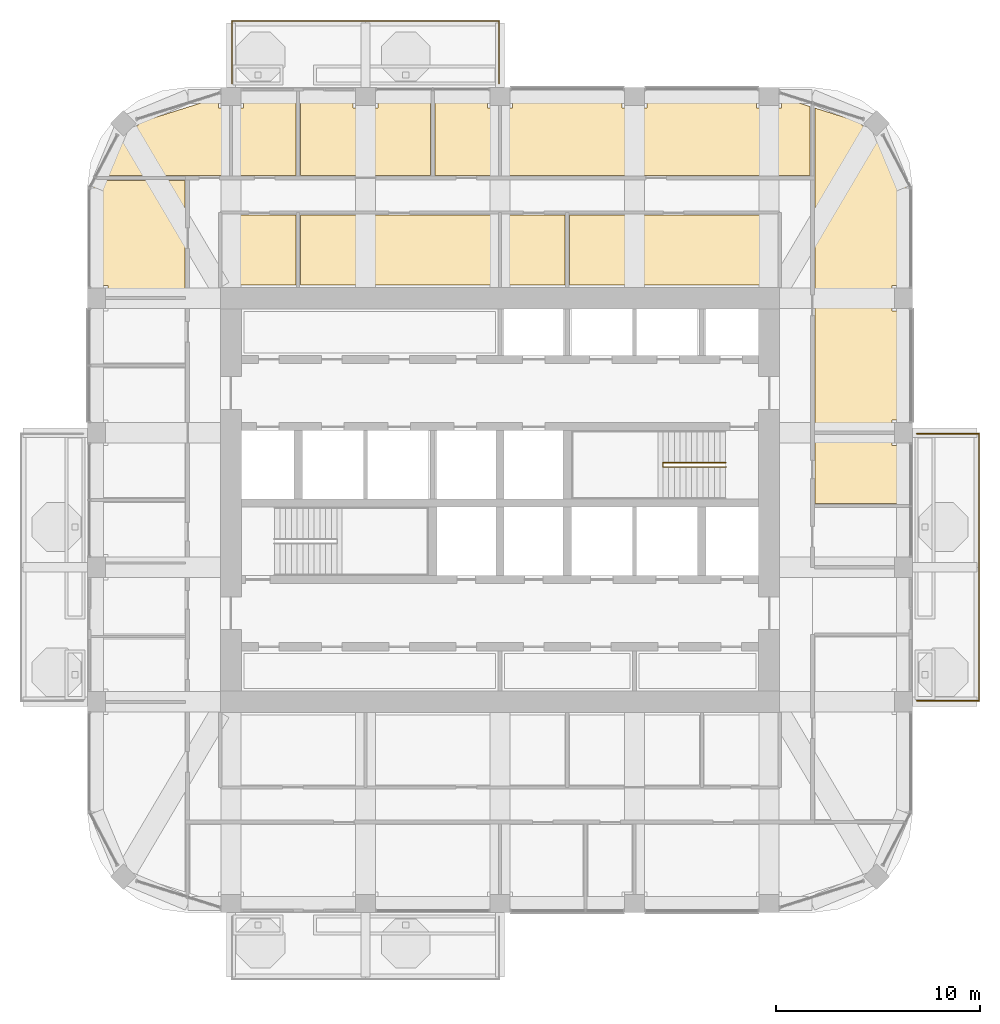
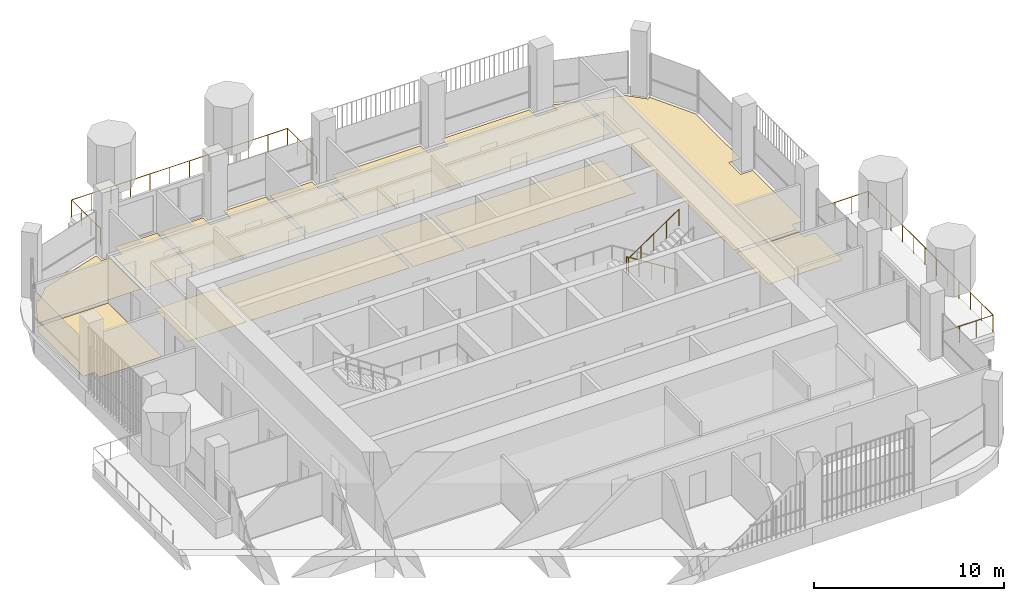
# One storey, part 17 of 18: 12 coverings, 3 railings.
"""IFC4 building model written with IfcOpenShell, lengths in metres."""

from ifc_helpers import new_model, si_unit, direction, frame, origin, place, context, subcontext, project, spatial, polyline, outline, extrude, material, layer, layer_set, type_object, element, save


model = new_model("IFC4")

# Units and contexts
model_context = context("Model", 3, precision=1e-05, world=origin(), true_north=direction((0.0, 1.0)))
body_context = subcontext(model_context, "Body", "Model", "MODEL_VIEW")
ifc_project = project(units=[si_unit("LENGTHUNIT", "METRE"), si_unit("AREAUNIT", "SQUARE_METRE"), si_unit("VOLUMEUNIT", "CUBIC_METRE"), si_unit("PLANEANGLEUNIT", "RADIAN"), si_unit("MASSUNIT", "GRAM", prefix="KILO")], contexts=[model_context])

# Site, building, storey
site_placement = place(None, origin())
site = spatial("IfcSite", under=ifc_project, at=site_placement, CompositionType="ELEMENT")
building_placement = place(site_placement, origin())
building = spatial("IfcBuilding", under=site, at=building_placement, Name="Cobogo Forest Laboratory Tower", CompositionType="ELEMENT")
storey_placement = place(building_placement, frame((0.0, 0.0, 271.199951171875)))
storey = spatial("IfcBuildingStorey", under=building, at=storey_placement, Name="L62", CompositionType="ELEMENT", Elevation=271.199951171875)

# Railings
ifc_material_1 = material(Name="Laminated glass balustrade", Category="glass")
railing_type_1 = type_object("IfcRailingType", Name="BG1 glass balustrade 1100", PredefinedType="GUARDRAIL", material=ifc_material_1)
railing_1_placement = place(storey_placement, frame((46.85009765625, 13.25, 0.0)))
element("IfcRailing", 1, at=railing_1_placement, inside=storey, type_object=railing_type_1, Name="Balcony balustrade BAL-E1 L62", PredefinedType="GUARDRAIL", context=body_context, shape_type="SweptSolid", body=[
    extrude(outline(polyline([(0.022216796875, 0.00927734375), (0.00927734375, 0.022216796875), (-0.00927734375, 0.022216796875), (-0.022216796875, 0.00927734375), (-0.022216796875, -0.00927734375), (-0.00927734375, -0.022216796875), (0.00927734375, -0.022216796875), (0.022216796875, -0.00927734375), (0.022216796875, 0.00927734375)])), frame((0.0, 0.0, 1.077880859375), z_axis=(1.0, 0.0, 0.0), x_axis=(0.0, 1.0, 0.0)), (0.0, 0.0, 1.0), 3.0498046875),
    extrude(outline(polyline([(0.022216796875, 0.00927734375), (0.00927734375, 0.022216796875), (-0.00927734375, 0.022216796875), (-0.022216796875, 0.00927734375), (-0.022216796875, -0.00927734375), (-0.00927734375, -0.022216796875), (0.00927734375, -0.022216796875), (0.022216796875, -0.00927734375), (0.022216796875, 0.00927734375)])), frame((3.0498046875, 0.0, 1.077880859375), z_axis=(0.0, 1.0, 0.0), x_axis=(-1.0, 0.0, 0.0)), (0.0, 0.0, 1.0), 13.10009765625),
    extrude(outline(polyline([(0.022216796875, 0.00927734375), (0.00927734375, 0.022216796875), (-0.00927734375, 0.022216796875), (-0.022216796875, 0.00927734375), (-0.022216796875, -0.00927734375), (-0.00927734375, -0.022216796875), (0.00927734375, -0.022216796875), (0.022216796875, -0.00927734375), (0.022216796875, 0.00927734375)])), frame((3.0498046875, 13.10009765625, 1.077880859375), z_axis=(-1.0, 0.0, 0.0), x_axis=(0.0, -1.0, 0.0)), (0.0, 0.0, 1.0), 3.0498046875),
    extrude(outline(polyline([(0.019287109375, 0.008056640625), (0.008056640625, 0.019287109375), (-0.008056640625, 0.019287109375), (-0.019287109375, 0.008056640625), (-0.019287109375, -0.008056640625), (-0.008056640625, -0.019287109375), (0.008056640625, -0.019287109375), (0.019287109375, -0.008056640625), (0.019287109375, 0.008056640625)])), origin(), (0.0, 0.0, 1.0), 1.077880859375),
    extrude(outline(polyline([(0.019287109375, 0.008056640625), (0.008056640625, 0.019287109375), (-0.008056640625, 0.019287109375), (-0.019287109375, 0.008056640625), (-0.019287109375, -0.008056640625), (-0.008056640625, -0.019287109375), (0.008056640625, -0.019287109375), (0.019287109375, -0.008056640625), (0.019287109375, 0.008056640625)])), frame((1.0166015625, 0.0, 0.0)), (0.0, 0.0, 1.0), 1.077880859375),
    extrude(outline(polyline([(0.019287109375, 0.008056640625), (0.008056640625, 0.019287109375), (-0.008056640625, 0.019287109375), (-0.019287109375, 0.008056640625), (-0.019287109375, -0.008056640625), (-0.008056640625, -0.019287109375), (0.008056640625, -0.019287109375), (0.019287109375, -0.008056640625), (0.019287109375, 0.008056640625)])), frame((2.033203125, 0.0, 0.0)), (0.0, 0.0, 1.0), 1.077880859375),
    extrude(outline(polyline([(0.019287109375, 0.008056640625), (0.008056640625, 0.019287109375), (-0.008056640625, 0.019287109375), (-0.019287109375, 0.008056640625), (-0.019287109375, -0.008056640625), (-0.008056640625, -0.019287109375), (0.008056640625, -0.019287109375), (0.019287109375, -0.008056640625), (0.019287109375, 0.008056640625)])), frame((3.0498046875, 0.0, 0.0)), (0.0, 0.0, 1.0), 1.077880859375),
    extrude(outline(polyline([(0.019287109375, 0.008056640625), (0.008056640625, 0.019287109375), (-0.008056640625, 0.019287109375), (-0.019287109375, 0.008056640625), (-0.019287109375, -0.008056640625), (-0.008056640625, -0.019287109375), (0.008056640625, -0.019287109375), (0.019287109375, -0.008056640625), (0.019287109375, 0.008056640625)])), frame((3.0498046875, 1.19091796875, 0.0)), (0.0, 0.0, 1.0), 1.077880859375),
    extrude(outline(polyline([(0.019287109375, 0.008056640625), (0.008056640625, 0.019287109375), (-0.008056640625, 0.019287109375), (-0.019287109375, 0.008056640625), (-0.019287109375, -0.008056640625), (-0.008056640625, -0.019287109375), (0.008056640625, -0.019287109375), (0.019287109375, -0.008056640625), (0.019287109375, 0.008056640625)])), frame((3.0498046875, 2.3818359375, 0.0)), (0.0, 0.0, 1.0), 1.077880859375),
    extrude(outline(polyline([(0.019287109375, 0.008056640625), (0.008056640625, 0.019287109375), (-0.008056640625, 0.019287109375), (-0.019287109375, 0.008056640625), (-0.019287109375, -0.008056640625), (-0.008056640625, -0.019287109375), (0.008056640625, -0.019287109375), (0.019287109375, -0.008056640625), (0.019287109375, 0.008056640625)])), frame((3.0498046875, 3.57275390625, 0.0)), (0.0, 0.0, 1.0), 1.077880859375),
    extrude(outline(polyline([(0.019287109375, 0.008056640625), (0.008056640625, 0.019287109375), (-0.008056640625, 0.019287109375), (-0.019287109375, 0.008056640625), (-0.019287109375, -0.008056640625), (-0.008056640625, -0.019287109375), (0.008056640625, -0.019287109375), (0.019287109375, -0.008056640625), (0.019287109375, 0.008056640625)])), frame((3.0498046875, 4.763671875, 0.0)), (0.0, 0.0, 1.0), 1.077880859375),
    extrude(outline(polyline([(0.019287109375, 0.008056640625), (0.008056640625, 0.019287109375), (-0.008056640625, 0.019287109375), (-0.019287109375, 0.008056640625), (-0.019287109375, -0.008056640625), (-0.008056640625, -0.019287109375), (0.008056640625, -0.019287109375), (0.019287109375, -0.008056640625), (0.019287109375, 0.008056640625)])), frame((3.0498046875, 5.95458984375, 0.0)), (0.0, 0.0, 1.0), 1.077880859375),
    extrude(outline(polyline([(0.019287109375, 0.008056640625), (0.008056640625, 0.019287109375), (-0.008056640625, 0.019287109375), (-0.019287109375, 0.008056640625), (-0.019287109375, -0.008056640625), (-0.008056640625, -0.019287109375), (0.008056640625, -0.019287109375), (0.019287109375, -0.008056640625), (0.019287109375, 0.008056640625)])), frame((3.0498046875, 7.1455078125, 0.0)), (0.0, 0.0, 1.0), 1.077880859375),
    extrude(outline(polyline([(0.019287109375, 0.008056640625), (0.008056640625, 0.019287109375), (-0.008056640625, 0.019287109375), (-0.019287109375, 0.008056640625), (-0.019287109375, -0.008056640625), (-0.008056640625, -0.019287109375), (0.008056640625, -0.019287109375), (0.019287109375, -0.008056640625), (0.019287109375, 0.008056640625)])), frame((3.0498046875, 8.33642578125, 0.0)), (0.0, 0.0, 1.0), 1.077880859375),
    extrude(outline(polyline([(0.019287109375, 0.008056640625), (0.008056640625, 0.019287109375), (-0.008056640625, 0.019287109375), (-0.019287109375, 0.008056640625), (-0.019287109375, -0.008056640625), (-0.008056640625, -0.019287109375), (0.008056640625, -0.019287109375), (0.019287109375, -0.008056640625), (0.019287109375, 0.008056640625)])), frame((3.0498046875, 9.52734375, 0.0)), (0.0, 0.0, 1.0), 1.077880859375),
    extrude(outline(polyline([(0.019287109375, 0.008056640625), (0.008056640625, 0.019287109375), (-0.008056640625, 0.019287109375), (-0.019287109375, 0.008056640625), (-0.019287109375, -0.008056640625), (-0.008056640625, -0.019287109375), (0.008056640625, -0.019287109375), (0.019287109375, -0.008056640625), (0.019287109375, 0.008056640625)])), frame((3.0498046875, 10.71826171875, 0.0)), (0.0, 0.0, 1.0), 1.077880859375),
    extrude(outline(polyline([(0.019287109375, 0.008056640625), (0.008056640625, 0.019287109375), (-0.008056640625, 0.019287109375), (-0.019287109375, 0.008056640625), (-0.019287109375, -0.008056640625), (-0.008056640625, -0.019287109375), (0.008056640625, -0.019287109375), (0.019287109375, -0.008056640625), (0.019287109375, 0.008056640625)])), frame((3.0498046875, 11.9091796875, 0.0)), (0.0, 0.0, 1.0), 1.077880859375),
    extrude(outline(polyline([(0.019287109375, 0.008056640625), (0.008056640625, 0.019287109375), (-0.008056640625, 0.019287109375), (-0.019287109375, 0.008056640625), (-0.019287109375, -0.008056640625), (-0.008056640625, -0.019287109375), (0.008056640625, -0.019287109375), (0.019287109375, -0.008056640625), (0.019287109375, 0.008056640625)])), frame((3.0498046875, 13.10009765625, 0.0)), (0.0, 0.0, 1.0), 1.077880859375),
    extrude(outline(polyline([(0.019287109375, 0.008056640625), (0.008056640625, 0.019287109375), (-0.008056640625, 0.019287109375), (-0.019287109375, 0.008056640625), (-0.019287109375, -0.008056640625), (-0.008056640625, -0.019287109375), (0.008056640625, -0.019287109375), (0.019287109375, -0.008056640625), (0.019287109375, 0.008056640625)])), frame((2.033203125, 13.10009765625, 0.0)), (0.0, 0.0, 1.0), 1.077880859375),
    extrude(outline(polyline([(0.019287109375, 0.008056640625), (0.008056640625, 0.019287109375), (-0.008056640625, 0.019287109375), (-0.019287109375, 0.008056640625), (-0.019287109375, -0.008056640625), (-0.008056640625, -0.019287109375), (0.008056640625, -0.019287109375), (0.019287109375, -0.008056640625), (0.019287109375, 0.008056640625)])), frame((1.0166015625, 13.10009765625, 0.0)), (0.0, 0.0, 1.0), 1.077880859375),
    extrude(outline(polyline([(0.019287109375, 0.008056640625), (0.008056640625, 0.019287109375), (-0.008056640625, 0.019287109375), (-0.019287109375, 0.008056640625), (-0.019287109375, -0.008056640625), (-0.008056640625, -0.019287109375), (0.008056640625, -0.019287109375), (0.019287109375, -0.008056640625), (0.019287109375, 0.008056640625)])), frame((0.0, 13.10009765625, 0.0)), (0.0, 0.0, 1.0), 1.077880859375),
])
railing_2_placement = place(storey_placement, frame((13.25, 43.550048828125, 0.0)))
element("IfcRailing", 2, at=railing_2_placement, inside=storey, type_object=railing_type_1, Name="Balcony balustrade BAL-N1 L62", PredefinedType="GUARDRAIL", context=body_context, shape_type="SweptSolid", body=[
    extrude(outline(polyline([(0.022216796875, 0.00927734375), (0.00927734375, 0.022216796875), (-0.00927734375, 0.022216796875), (-0.022216796875, 0.00927734375), (-0.022216796875, -0.00927734375), (-0.00927734375, -0.022216796875), (0.00927734375, -0.022216796875), (0.022216796875, -0.00927734375), (0.022216796875, 0.00927734375)])), frame((0.0, 0.0, 1.077880859375), z_axis=(0.0, 1.0, 0.0), x_axis=(-1.0, 0.0, 0.0)), (0.0, 0.0, 1.0), 3.050048828125),
    extrude(outline(polyline([(0.022216796875, 0.00927734375), (0.00927734375, 0.022216796875), (-0.00927734375, 0.022216796875), (-0.022216796875, 0.00927734375), (-0.022216796875, -0.00927734375), (-0.00927734375, -0.022216796875), (0.00927734375, -0.022216796875), (0.022216796875, -0.00927734375), (0.022216796875, 0.00927734375)])), frame((0.0, 3.050048828125, 1.077880859375), z_axis=(1.0, 0.0, 0.0), x_axis=(0.0, 1.0, 0.0)), (0.0, 0.0, 1.0), 13.10009765625),
    extrude(outline(polyline([(0.022216796875, 0.00927734375), (0.00927734375, 0.022216796875), (-0.00927734375, 0.022216796875), (-0.022216796875, 0.00927734375), (-0.022216796875, -0.00927734375), (-0.00927734375, -0.022216796875), (0.00927734375, -0.022216796875), (0.022216796875, -0.00927734375), (0.022216796875, 0.00927734375)])), frame((13.10009765625, 3.050048828125, 1.077880859375), z_axis=(0.0, -1.0, 0.0), x_axis=(1.0, 0.0, 0.0)), (0.0, 0.0, 1.0), 3.050048828125),
    extrude(outline(polyline([(0.019287109375, 0.008056640625), (0.008056640625, 0.019287109375), (-0.008056640625, 0.019287109375), (-0.019287109375, 0.008056640625), (-0.019287109375, -0.008056640625), (-0.008056640625, -0.019287109375), (0.008056640625, -0.019287109375), (0.019287109375, -0.008056640625), (0.019287109375, 0.008056640625)])), origin(), (0.0, 0.0, 1.0), 1.077880859375),
    extrude(outline(polyline([(0.019287109375, 0.008056640625), (0.008056640625, 0.019287109375), (-0.008056640625, 0.019287109375), (-0.019287109375, 0.008056640625), (-0.019287109375, -0.008056640625), (-0.008056640625, -0.019287109375), (0.008056640625, -0.019287109375), (0.019287109375, -0.008056640625), (0.019287109375, 0.008056640625)])), frame((0.0, 1.0166015625, 0.0)), (0.0, 0.0, 1.0), 1.077880859375),
    extrude(outline(polyline([(0.019287109375, 0.008056640625), (0.008056640625, 0.019287109375), (-0.008056640625, 0.019287109375), (-0.019287109375, 0.008056640625), (-0.019287109375, -0.008056640625), (-0.008056640625, -0.019287109375), (0.008056640625, -0.019287109375), (0.019287109375, -0.008056640625), (0.019287109375, 0.008056640625)])), frame((0.0, 2.033447265625, 0.0)), (0.0, 0.0, 1.0), 1.077880859375),
    extrude(outline(polyline([(0.019287109375, 0.008056640625), (0.008056640625, 0.019287109375), (-0.008056640625, 0.019287109375), (-0.019287109375, 0.008056640625), (-0.019287109375, -0.008056640625), (-0.008056640625, -0.019287109375), (0.008056640625, -0.019287109375), (0.019287109375, -0.008056640625), (0.019287109375, 0.008056640625)])), frame((0.0, 3.050048828125, 0.0)), (0.0, 0.0, 1.0), 1.077880859375),
    extrude(outline(polyline([(0.019287109375, 0.008056640625), (0.008056640625, 0.019287109375), (-0.008056640625, 0.019287109375), (-0.019287109375, 0.008056640625), (-0.019287109375, -0.008056640625), (-0.008056640625, -0.019287109375), (0.008056640625, -0.019287109375), (0.019287109375, -0.008056640625), (0.019287109375, 0.008056640625)])), frame((1.19091796875, 3.050048828125, 0.0)), (0.0, 0.0, 1.0), 1.077880859375),
    extrude(outline(polyline([(0.019287109375, 0.008056640625), (0.008056640625, 0.019287109375), (-0.008056640625, 0.019287109375), (-0.019287109375, 0.008056640625), (-0.019287109375, -0.008056640625), (-0.008056640625, -0.019287109375), (0.008056640625, -0.019287109375), (0.019287109375, -0.008056640625), (0.019287109375, 0.008056640625)])), frame((2.3818359375, 3.050048828125, 0.0)), (0.0, 0.0, 1.0), 1.077880859375),
    extrude(outline(polyline([(0.019287109375, 0.008056640625), (0.008056640625, 0.019287109375), (-0.008056640625, 0.019287109375), (-0.019287109375, 0.008056640625), (-0.019287109375, -0.008056640625), (-0.008056640625, -0.019287109375), (0.008056640625, -0.019287109375), (0.019287109375, -0.008056640625), (0.019287109375, 0.008056640625)])), frame((3.57275390625, 3.050048828125, 0.0)), (0.0, 0.0, 1.0), 1.077880859375),
    extrude(outline(polyline([(0.019287109375, 0.008056640625), (0.008056640625, 0.019287109375), (-0.008056640625, 0.019287109375), (-0.019287109375, 0.008056640625), (-0.019287109375, -0.008056640625), (-0.008056640625, -0.019287109375), (0.008056640625, -0.019287109375), (0.019287109375, -0.008056640625), (0.019287109375, 0.008056640625)])), frame((4.763671875, 3.050048828125, 0.0)), (0.0, 0.0, 1.0), 1.077880859375),
    extrude(outline(polyline([(0.019287109375, 0.008056640625), (0.008056640625, 0.019287109375), (-0.008056640625, 0.019287109375), (-0.019287109375, 0.008056640625), (-0.019287109375, -0.008056640625), (-0.008056640625, -0.019287109375), (0.008056640625, -0.019287109375), (0.019287109375, -0.008056640625), (0.019287109375, 0.008056640625)])), frame((5.95458984375, 3.050048828125, 0.0)), (0.0, 0.0, 1.0), 1.077880859375),
    extrude(outline(polyline([(0.019287109375, 0.008056640625), (0.008056640625, 0.019287109375), (-0.008056640625, 0.019287109375), (-0.019287109375, 0.008056640625), (-0.019287109375, -0.008056640625), (-0.008056640625, -0.019287109375), (0.008056640625, -0.019287109375), (0.019287109375, -0.008056640625), (0.019287109375, 0.008056640625)])), frame((7.1455078125, 3.050048828125, 0.0)), (0.0, 0.0, 1.0), 1.077880859375),
    extrude(outline(polyline([(0.019287109375, 0.008056640625), (0.008056640625, 0.019287109375), (-0.008056640625, 0.019287109375), (-0.019287109375, 0.008056640625), (-0.019287109375, -0.008056640625), (-0.008056640625, -0.019287109375), (0.008056640625, -0.019287109375), (0.019287109375, -0.008056640625), (0.019287109375, 0.008056640625)])), frame((8.33642578125, 3.050048828125, 0.0)), (0.0, 0.0, 1.0), 1.077880859375),
    extrude(outline(polyline([(0.019287109375, 0.008056640625), (0.008056640625, 0.019287109375), (-0.008056640625, 0.019287109375), (-0.019287109375, 0.008056640625), (-0.019287109375, -0.008056640625), (-0.008056640625, -0.019287109375), (0.008056640625, -0.019287109375), (0.019287109375, -0.008056640625), (0.019287109375, 0.008056640625)])), frame((9.52734375, 3.050048828125, 0.0)), (0.0, 0.0, 1.0), 1.077880859375),
    extrude(outline(polyline([(0.019287109375, 0.008056640625), (0.008056640625, 0.019287109375), (-0.008056640625, 0.019287109375), (-0.019287109375, 0.008056640625), (-0.019287109375, -0.008056640625), (-0.008056640625, -0.019287109375), (0.008056640625, -0.019287109375), (0.019287109375, -0.008056640625), (0.019287109375, 0.008056640625)])), frame((10.71826171875, 3.050048828125, 0.0)), (0.0, 0.0, 1.0), 1.077880859375),
    extrude(outline(polyline([(0.019287109375, 0.008056640625), (0.008056640625, 0.019287109375), (-0.008056640625, 0.019287109375), (-0.019287109375, 0.008056640625), (-0.019287109375, -0.008056640625), (-0.008056640625, -0.019287109375), (0.008056640625, -0.019287109375), (0.019287109375, -0.008056640625), (0.019287109375, 0.008056640625)])), frame((11.9091796875, 3.050048828125, 0.0)), (0.0, 0.0, 1.0), 1.077880859375),
    extrude(outline(polyline([(0.019287109375, 0.008056640625), (0.008056640625, 0.019287109375), (-0.008056640625, 0.019287109375), (-0.019287109375, 0.008056640625), (-0.019287109375, -0.008056640625), (-0.008056640625, -0.019287109375), (0.008056640625, -0.019287109375), (0.019287109375, -0.008056640625), (0.019287109375, 0.008056640625)])), frame((13.10009765625, 3.050048828125, 0.0)), (0.0, 0.0, 1.0), 1.077880859375),
    extrude(outline(polyline([(0.019287109375, 0.008056640625), (0.008056640625, 0.019287109375), (-0.008056640625, 0.019287109375), (-0.019287109375, 0.008056640625), (-0.019287109375, -0.008056640625), (-0.008056640625, -0.019287109375), (0.008056640625, -0.019287109375), (0.019287109375, -0.008056640625), (0.019287109375, 0.008056640625)])), frame((13.10009765625, 2.033447265625, 0.0)), (0.0, 0.0, 1.0), 1.077880859375),
    extrude(outline(polyline([(0.019287109375, 0.008056640625), (0.008056640625, 0.019287109375), (-0.008056640625, 0.019287109375), (-0.019287109375, 0.008056640625), (-0.019287109375, -0.008056640625), (-0.008056640625, -0.019287109375), (0.008056640625, -0.019287109375), (0.019287109375, -0.008056640625), (0.019287109375, 0.008056640625)])), frame((13.10009765625, 1.0166015625, 0.0)), (0.0, 0.0, 1.0), 1.077880859375),
    extrude(outline(polyline([(0.019287109375, 0.008056640625), (0.008056640625, 0.019287109375), (-0.008056640625, 0.019287109375), (-0.019287109375, 0.008056640625), (-0.019287109375, -0.008056640625), (-0.008056640625, -0.019287109375), (0.008056640625, -0.019287109375), (0.019287109375, -0.008056640625), (0.019287109375, 0.008056640625)])), frame((13.10009765625, 0.0, 0.0)), (0.0, 0.0, 1.0), 1.077880859375),
])

# Coverings
ifc_material_2 = material(Name="Carpet tile on raised access floor", Category="flooring")
ifc_layer_1 = layer(ifc_material_2, 0.008056640625)
ifc_layer_set_1 = layer_set([ifc_layer_1], Name="CT1 carpet tile floor 8")
covering_type_1 = type_object("IfcCoveringType", Name="CT1 carpet tile floor 8", PredefinedType="FLOORING", material=ifc_layer_set_1)
covering_1_placement = place(storey_placement, origin())
element("IfcCovering", 3, at=covering_1_placement, inside=storey, type_object=covering_type_1, Name="Carpet floor L62-01", PredefinedType="FLOORING", context=body_context, shape_type="SweptSolid", body=[
    extrude(outline(polyline([(16.3798828125, 33.64501953125), (12.794921875, 33.64501953125), (12.794921875, 37.080078125), (16.3798828125, 37.080078125), (16.3798828125, 33.64501953125)])), origin(), (0.0, 0.0, 1.0), 0.008056640625),
])
covering_2_placement = place(storey_placement, origin())
element("IfcCovering", 4, at=covering_2_placement, inside=storey, type_object=covering_type_1, Name="Carpet floor L62-02", PredefinedType="FLOORING", context=body_context, shape_type="SweptSolid", body=[
    extrude(outline(polyline([(26.280029296875, 33.64501953125), (16.6201171875, 33.64501953125), (16.6201171875, 37.080078125), (26.280029296875, 37.080078125), (26.280029296875, 33.64501953125)])), origin(), (0.0, 0.0, 1.0), 0.008056640625),
])
covering_3_placement = place(storey_placement, origin())
element("IfcCovering", 5, at=covering_3_placement, inside=storey, type_object=covering_type_1, Name="Carpet floor L62-03", PredefinedType="FLOORING", context=body_context, shape_type="SweptSolid", body=[
    extrude(outline(polyline([(29.580078125, 33.64501953125), (26.52001953125, 33.64501953125), (26.52001953125, 37.080078125), (29.580078125, 37.080078125), (29.580078125, 33.64501953125)])), origin(), (0.0, 0.0, 1.0), 0.008056640625),
])
covering_4_placement = place(storey_placement, origin())
element("IfcCovering", 6, at=covering_4_placement, inside=storey, type_object=covering_type_1, Name="Carpet floor L62-04", PredefinedType="FLOORING", context=body_context, shape_type="SweptSolid", body=[
    extrude(outline(polyline([(40.0048828125, 33.64501953125), (29.820068359375, 33.64501953125), (29.820068359375, 37.080078125), (40.0048828125, 37.080078125), (40.0048828125, 33.64501953125)])), origin(), (0.0, 0.0, 1.0), 0.008056640625),
])
covering_5_placement = place(storey_placement, origin())
element("IfcCovering", 7, at=covering_5_placement, inside=storey, type_object=covering_type_1, Name="Carpet floor L62-16", PredefinedType="FLOORING", context=body_context, shape_type="SweptSolid", body=[
    extrude(outline(polyline([(41.844970703125, 42.331298828125), (44.10986328125, 41.615966796875), (44.075927734375, 41.58203125), (44.882080078125, 40.77587890625), (45.010986328125, 40.905029296875), (46.35009765625, 38.350830078125), (46.35009765625, 33.6201171875), (45.6298828125, 33.6201171875), (45.6298828125, 32.3798828125), (46.35009765625, 32.3798828125), (46.35009765625, 27.02001953125), (45.6298828125, 27.02001953125), (45.6298828125, 26.52001953125), (41.844970703125, 26.52001953125), (41.844970703125, 42.331298828125)])), origin(), (0.0, 0.0, 1.0), 0.008056640625),
])
covering_6_placement = place(storey_placement, origin())
element("IfcCovering", 8, at=covering_6_placement, inside=storey, type_object=covering_type_1, Name="Carpet floor L62-17", PredefinedType="FLOORING", context=body_context, shape_type="SweptSolid", body=[
    extrude(outline(polyline([(6.80078125, 39.02001953125), (7.788818359375, 40.905029296875), (7.91796875, 40.77587890625), (8.72412109375, 41.58203125), (8.68994140625, 41.615966796875), (12.580078125, 42.844482421875), (12.580078125, 42.330078125), (13.080078125, 42.330078125), (13.080078125, 39.02001953125), (6.80078125, 39.02001953125)])), origin(), (0.0, 0.0, 1.0), 0.008056640625),
])
covering_7_placement = place(storey_placement, origin())
element("IfcCovering", 9, at=covering_7_placement, inside=storey, type_object=covering_type_1, Name="Carpet floor L62-18", PredefinedType="FLOORING", context=body_context, shape_type="SweptSolid", body=[
    extrude(outline(polyline([(13.320068359375, 39.02001953125), (13.320068359375, 42.330078125), (13.820068359375, 42.330078125), (13.820068359375, 43.050048828125), (16.3798828125, 43.050048828125), (16.3798828125, 39.02001953125), (13.320068359375, 39.02001953125)])), origin(), (0.0, 0.0, 1.0), 0.008056640625),
])
covering_8_placement = place(storey_placement, origin())
element("IfcCovering", 10, at=covering_8_placement, inside=storey, type_object=covering_type_1, Name="Carpet floor L62-19", PredefinedType="FLOORING", context=body_context, shape_type="SweptSolid", body=[
    extrude(outline(polyline([(16.6201171875, 39.02001953125), (16.6201171875, 43.050048828125), (19.179931640625, 43.050048828125), (19.179931640625, 42.330078125), (20.419921875, 42.330078125), (20.419921875, 43.050048828125), (22.97998046875, 43.050048828125), (22.97998046875, 39.02001953125), (16.6201171875, 39.02001953125)])), origin(), (0.0, 0.0, 1.0), 0.008056640625),
])
covering_9_placement = place(storey_placement, origin())
element("IfcCovering", 11, at=covering_9_placement, inside=storey, type_object=covering_type_1, Name="Carpet floor L62-20", PredefinedType="FLOORING", context=body_context, shape_type="SweptSolid", body=[
    extrude(outline(polyline([(23.219970703125, 39.02001953125), (23.219970703125, 43.050048828125), (25.780029296875, 43.050048828125), (25.780029296875, 42.330078125), (26.280029296875, 42.330078125), (26.280029296875, 39.02001953125), (23.219970703125, 39.02001953125)])), origin(), (0.0, 0.0, 1.0), 0.008056640625),
])
covering_10_placement = place(storey_placement, origin())
element("IfcCovering", 12, at=covering_10_placement, inside=storey, type_object=covering_type_1, Name="Carpet floor L62-21", PredefinedType="FLOORING", context=body_context, shape_type="SweptSolid", body=[
    extrude(outline(polyline([(26.52001953125, 39.02001953125), (26.52001953125, 42.330078125), (27.02001953125, 42.330078125), (27.02001953125, 43.050048828125), (32.3798828125, 43.050048828125), (32.3798828125, 42.330078125), (33.6201171875, 42.330078125), (33.6201171875, 43.050048828125), (38.97998046875, 43.050048828125), (38.97998046875, 42.330078125), (40.219970703125, 42.330078125), (40.219970703125, 42.844482421875), (41.60498046875, 42.406982421875), (41.60498046875, 39.02001953125), (26.52001953125, 39.02001953125)])), origin(), (0.0, 0.0, 1.0), 0.008056640625),
])
covering_11_placement = place(storey_placement, origin())
element("IfcCovering", 13, at=covering_11_placement, inside=storey, type_object=covering_type_1, Name="Carpet floor L62-28", PredefinedType="FLOORING", context=body_context, shape_type="SweptSolid", body=[
    extrude(outline(polyline([(10.955078125, 33.1201171875), (7.169921875, 33.1201171875), (7.169921875, 33.6201171875), (6.449951171875, 33.6201171875), (6.449951171875, 38.350830078125), (6.675048828125, 38.780029296875), (10.955078125, 38.780029296875), (10.955078125, 33.1201171875)])), origin(), (0.0, 0.0, 1.0), 0.008056640625),
])

# Railing
ifc_material_3 = material(Name="Steel balustrade", Category="steel")
railing_type_2 = type_object("IfcRailingType", Name="GR stair guard 1100", PredefinedType="GUARDRAIL", material=ifc_material_3)
railing_3_placement = place(storey_placement, frame((37.47509765625, 24.929931640625, 0.175048828125)))
element("IfcRailing", 14, at=railing_3_placement, inside=storey, type_object=railing_type_2, Name="Stair guard ST2 L62", PredefinedType="GUARDRAIL", context=body_context, shape_type="SweptSolid", body=[
    extrude(outline(polyline([(0.022216796875, 0.00927734375), (0.00927734375, 0.022216796875), (-0.00927734375, 0.022216796875), (-0.022216796875, 0.00927734375), (-0.022216796875, -0.00927734375), (-0.00927734375, -0.022216796875), (0.00927734375, -0.022216796875), (0.022216796875, -0.00927734375), (0.022216796875, 0.00927734375)])), frame((0.0, 0.0, 1.077880859375), z_axis=(-0.847998304005, 0.0, 0.529998940003), x_axis=(0.0, -1.0, 0.0)), (0.0, 0.0, 1.0), 3.632080078125),
    extrude(outline(polyline([(0.022216796875, 0.00927734375), (0.00927734375, 0.022216796875), (-0.00927734375, 0.022216796875), (-0.022216796875, 0.00927734375), (-0.022216796875, -0.00927734375), (-0.00927734375, -0.022216796875), (0.00927734375, -0.022216796875), (0.022216796875, -0.00927734375), (0.022216796875, 0.00927734375)])), frame((-3.080078125, 0.0, 3.0029296875), z_axis=(0.0, -1.0, 0.0), x_axis=(1.0, 0.0, 0.0)), (0.0, 0.0, 1.0), 0.2099609375),
    extrude(outline(polyline([(0.022216796875, 0.00927734375), (0.00927734375, 0.022216796875), (-0.00927734375, 0.022216796875), (-0.022216796875, 0.00927734375), (-0.022216796875, -0.00927734375), (-0.00927734375, -0.022216796875), (0.00927734375, -0.022216796875), (0.022216796875, -0.00927734375), (0.022216796875, 0.00927734375)])), frame((-3.080078125, -0.2099609375, 3.0029296875), z_axis=(0.826252282691, 0.0, 0.563300244406), x_axis=(0.0, 1.0, 0.0)), (0.0, 0.0, 1.0), 3.727783203125),
    extrude(outline(polyline([(0.019287109375, 0.008056640625), (0.008056640625, 0.019287109375), (-0.008056640625, 0.019287109375), (-0.019287109375, 0.008056640625), (-0.019287109375, -0.008056640625), (-0.008056640625, -0.019287109375), (0.008056640625, -0.019287109375), (0.019287109375, -0.008056640625), (0.019287109375, 0.008056640625)])), origin(), (0.0, 0.0, 1.0), 1.077880859375),
    extrude(outline(polyline([(0.019287109375, 0.008056640625), (0.008056640625, 0.019287109375), (-0.008056640625, 0.019287109375), (-0.019287109375, 0.008056640625), (-0.019287109375, -0.008056640625), (-0.008056640625, -0.019287109375), (0.008056640625, -0.019287109375), (0.019287109375, -0.008056640625), (0.019287109375, 0.008056640625)])), frame((-0.77001953125, 0.0, 0.481201171875)), (0.0, 0.0, 1.0), 1.077880859375),
    extrude(outline(polyline([(0.019287109375, 0.008056640625), (0.008056640625, 0.019287109375), (-0.008056640625, 0.019287109375), (-0.019287109375, 0.008056640625), (-0.019287109375, -0.008056640625), (-0.008056640625, -0.019287109375), (0.008056640625, -0.019287109375), (0.019287109375, -0.008056640625), (0.019287109375, 0.008056640625)])), frame((-1.5400390625, 0.0, 0.96240234375)), (0.0, 0.0, 1.0), 1.077880859375),
    extrude(outline(polyline([(0.019287109375, 0.008056640625), (0.008056640625, 0.019287109375), (-0.008056640625, 0.019287109375), (-0.019287109375, 0.008056640625), (-0.019287109375, -0.008056640625), (-0.008056640625, -0.019287109375), (0.008056640625, -0.019287109375), (0.019287109375, -0.008056640625), (0.019287109375, 0.008056640625)])), frame((-2.31005859375, 0.0, 1.44384765625)), (0.0, 0.0, 1.0), 1.077880859375),
    extrude(outline(polyline([(0.019287109375, 0.008056640625), (0.008056640625, 0.019287109375), (-0.008056640625, 0.019287109375), (-0.019287109375, 0.008056640625), (-0.019287109375, -0.008056640625), (-0.008056640625, -0.019287109375), (0.008056640625, -0.019287109375), (0.019287109375, -0.008056640625), (0.019287109375, 0.008056640625)])), frame((-3.080078125, 0.0, 1.925048828125)), (0.0, 0.0, 1.0), 1.077880859375),
    extrude(outline(polyline([(0.019287109375, 0.008056640625), (0.008056640625, 0.019287109375), (-0.008056640625, 0.019287109375), (-0.019287109375, 0.008056640625), (-0.019287109375, -0.008056640625), (-0.008056640625, -0.019287109375), (0.008056640625, -0.019287109375), (0.019287109375, -0.008056640625), (0.019287109375, 0.008056640625)])), frame((-3.080078125, -0.2099609375, 1.925048828125)), (0.0, 0.0, 1.0), 1.077880859375),
    extrude(outline(polyline([(0.019287109375, 0.008056640625), (0.008056640625, 0.019287109375), (-0.008056640625, 0.019287109375), (-0.019287109375, 0.008056640625), (-0.019287109375, -0.008056640625), (-0.008056640625, -0.019287109375), (0.008056640625, -0.019287109375), (0.019287109375, -0.008056640625), (0.019287109375, 0.008056640625)])), frame((-2.31005859375, -0.2099609375, 2.449951171875)), (0.0, 0.0, 1.0), 1.077880859375),
    extrude(outline(polyline([(0.019287109375, 0.008056640625), (0.008056640625, 0.019287109375), (-0.008056640625, 0.019287109375), (-0.019287109375, 0.008056640625), (-0.019287109375, -0.008056640625), (-0.008056640625, -0.019287109375), (0.008056640625, -0.019287109375), (0.019287109375, -0.008056640625), (0.019287109375, 0.008056640625)])), frame((-1.5400390625, -0.2099609375, 2.97509765625)), (0.0, 0.0, 1.0), 1.077880859375),
    extrude(outline(polyline([(0.019287109375, 0.008056640625), (0.008056640625, 0.019287109375), (-0.008056640625, 0.019287109375), (-0.019287109375, 0.008056640625), (-0.019287109375, -0.008056640625), (-0.008056640625, -0.019287109375), (0.008056640625, -0.019287109375), (0.019287109375, -0.008056640625), (0.019287109375, 0.008056640625)])), frame((-0.77001953125, -0.2099609375, 3.5)), (0.0, 0.0, 1.0), 1.077880859375),
    extrude(outline(polyline([(0.019287109375, 0.008056640625), (0.008056640625, 0.019287109375), (-0.008056640625, 0.019287109375), (-0.019287109375, 0.008056640625), (-0.019287109375, -0.008056640625), (-0.008056640625, -0.019287109375), (0.008056640625, -0.019287109375), (0.019287109375, -0.008056640625), (0.019287109375, 0.008056640625)])), frame((0.0, -0.2099609375, 4.02490234375)), (0.0, 0.0, 1.0), 1.077880859375),
])

# Covering
ifc_material_4 = material(Name="Static-dissipative vinyl flooring", Category="flooring")
ifc_layer_2 = layer(ifc_material_4, 0.0029296875)
ifc_layer_set_2 = layer_set([ifc_layer_2], Name="SD1 static-dissipative vinyl floor 3")
covering_type_2 = type_object("IfcCoveringType", Name="SD1 static-dissipative vinyl floor 3", PredefinedType="FLOORING", material=ifc_layer_set_2)
covering_12_placement = place(storey_placement, origin())
element("IfcCovering", 15, at=covering_12_placement, inside=storey, type_object=covering_type_2, Name="Static-dissipative floor L62-15", PredefinedType="FLOORING", context=body_context, shape_type="SweptSolid", body=[
    extrude(outline(polyline([(41.844970703125, 26.280029296875), (45.6298828125, 26.280029296875), (45.6298828125, 25.780029296875), (46.35009765625, 25.780029296875), (46.35009765625, 22.919921875), (41.844970703125, 22.919921875), (41.844970703125, 26.280029296875)])), origin(), (0.0, 0.0, 1.0), 0.0029296875),
])

save(model, "model.ifc")
